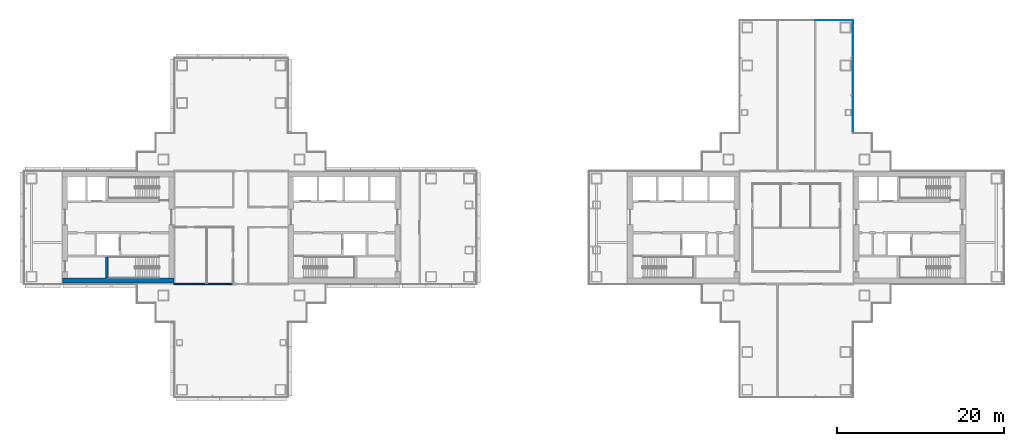
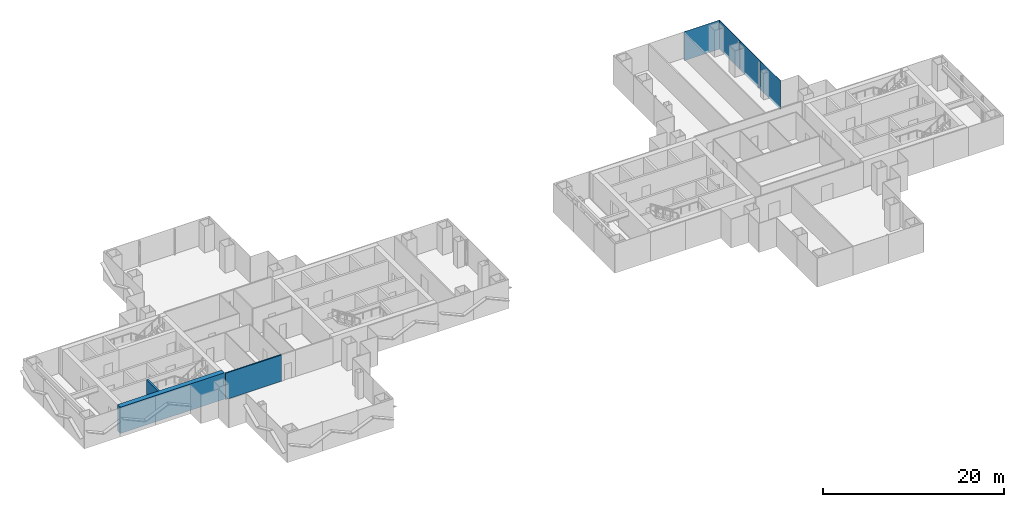
# One storey, part 11 of 18: 4 plates, 3 walls, 2 elements without a shape of their own.
"""IFC4 building model written with IfcOpenShell, lengths in metres."""

import ifcopenshell
import ifcopenshell.guid

model = None  # the IFC model being written
_history = None  # IfcOwnerHistory: only IFC2X3 demands one
_inside = {}  # id of a spatial element -> (the spatial element, [elements in it])
_under = {}  # id of a project, library or spatial element -> (it, [spatial elements below it])
_declared = {}  # id of a project -> (the project, [libraries it declares])
_typed = {}  # id of a type object -> (the type object, [elements of that type])
_made_of = {}  # id of a material, layer set ... -> (it, [elements and type objects made of it])


def new_model(schema):
    """Start an empty IFC model of exactly this schema.

    Asked for "IFC4X3", IfcOpenShell would pick the latest addendum, in which some entities
    have other attributes; the version numbers below select the first issue.
    IFC2X3 requires an IfcOwnerHistory on every rooted entity: one is made here for all.
    """
    global model, _history
    if schema == "IFC4X3":
        model = ifcopenshell.file(schema_version=(4, 3, 0, 0))
    else:
        model = ifcopenshell.file(schema=schema)
    _inside.clear()
    _under.clear()
    _declared.clear()
    _typed.clear()
    _made_of.clear()
    _history = None
    if model.schema == "IFC2X3":
        org = make("IfcOrganization", Name="unknown")
        user = make(
            "IfcPersonAndOrganization",
            ThePerson=make("IfcPerson", FamilyName="unknown"),
            TheOrganization=org,
        )
        app = make(
            "IfcApplication",
            ApplicationDeveloper=org,
            Version="unknown",
            ApplicationFullName="unknown",
            ApplicationIdentifier="unknown",
        )
        _history = make(
            "IfcOwnerHistory",
            OwningUser=user,
            OwningApplication=app,
            ChangeAction="ADDED",
            CreationDate=0,
        )
    return model


def make(cls, **values):
    """One entity of the class cls with the attributes given. An attribute that is None is left unset."""
    return model.create_entity(
        cls, **{name: value for name, value in values.items() if value is not None}
    )


def rooted(cls, **values):
    """An entity with a GlobalId (a new one), such as an element, a storey or a relation."""
    return make(cls, GlobalId=ifcopenshell.guid.new(), OwnerHistory=_history, **values)


def si_unit(unit_type, name, prefix=None):
    """IfcSIUnit, for example si_unit("LENGTHUNIT", "METRE", prefix="MILLI")."""
    return make("IfcSIUnit", UnitType=unit_type, Prefix=prefix, Name=name)


def assignment(units):
    """IfcUnitAssignment: the units of a project."""
    return None if units is None else make("IfcUnitAssignment", Units=units)


def point(xyz):
    """IfcCartesianPoint."""
    return None if xyz is None else make("IfcCartesianPoint", Coordinates=xyz)


def direction(xyz):
    """IfcDirection."""
    return None if xyz is None else make("IfcDirection", DirectionRatios=xyz)


def frame(location, z_axis=None, x_axis=None):
    """IfcAxis2Placement3D, a coordinate frame: its origin and axes. An axis left out is left unset."""
    return make(
        "IfcAxis2Placement3D",
        Location=point(location),
        Axis=direction(z_axis),
        RefDirection=direction(x_axis),
    )


def frame_2d(location, x_axis=None):
    """IfcAxis2Placement2D, a coordinate frame in the plane: its origin and x axis."""
    return make(
        "IfcAxis2Placement2D", Location=point(location), RefDirection=direction(x_axis)
    )


def origin():
    """The frame at (0, 0, 0) with its axes left unset."""
    return frame((0.0, 0.0, 0.0))


def origin_2d():
    """The frame at (0, 0) in the plane with its x axis left unset."""
    return frame_2d((0.0, 0.0))


def place(relative_to, where):
    """IfcLocalPlacement: puts the frame where relative to a parent placement (None: the world)."""
    return make(
        "IfcLocalPlacement", PlacementRelTo=relative_to, RelativePlacement=where
    )


def context(
    kind, dimensions, precision=None, world=None, true_north=None, identifier=None
):
    """IfcGeometricRepresentationContext, for example the 3D "Model" context."""
    return make(
        "IfcGeometricRepresentationContext",
        ContextIdentifier=identifier,
        ContextType=kind,
        CoordinateSpaceDimension=dimensions,
        Precision=precision,
        WorldCoordinateSystem=world,
        TrueNorth=true_north,
    )


def subcontext(parent, identifier, kind, view, scale=None):
    """IfcGeometricRepresentationSubContext, for example "Body" below "Model"."""
    return make(
        "IfcGeometricRepresentationSubContext",
        ContextIdentifier=identifier,
        ContextType=kind,
        ParentContext=parent,
        TargetScale=scale,
        TargetView=view,
    )


def project(units=None, contexts=None):
    """IfcProject with its units and contexts."""
    return rooted(
        "IfcProject",
        Name="project",
        RepresentationContexts=contexts,
        UnitsInContext=assignment(units),
    )


def spatial(cls, under=None, at=None, **own):
    """A site, building, storey or space (cls), placed at a placement, below another one or the project."""
    s = rooted(cls, ObjectPlacement=at, **own)
    if under is not None:
        _under.setdefault(under.id(), (under, []))[1].append(s)
    return s


def profile(cls, at=None, kind="AREA", **sizes):
    """A parametric profile (cls). Its sizes go by their IFC names, for example OverallWidth=200.0."""
    return make(cls, ProfileType=kind, Position=at, **sizes)


def rectangle(**sizes):
    """IfcRectangleProfileDef."""
    return profile("IfcRectangleProfileDef", **sizes)


def extrude(swept, where, along, depth):
    """IfcExtrudedAreaSolid: the profile swept, set in the frame where, extruded along a direction by depth."""
    return make(
        "IfcExtrudedAreaSolid",
        SweptArea=swept,
        Position=where,
        ExtrudedDirection=direction(along),
        Depth=depth,
    )


def shape(context_of_items, identifier, shape_type, items):
    """IfcShapeRepresentation: the items that make up one representation, for example the "Body"."""
    return make(
        "IfcShapeRepresentation",
        ContextOfItems=context_of_items,
        RepresentationIdentifier=identifier,
        RepresentationType=shape_type,
        Items=items,
    )


def material(Name=None, Category=None):
    """IfcMaterial."""
    return make("IfcMaterial", Name=Name, Category=Category)


def layer(
    of_material, thickness, ventilated=None, Name=None, Category=None, Priority=None
):
    """IfcMaterialLayer: one layer of a wall or slab, of a material (None: an air gap)."""
    return make(
        "IfcMaterialLayer",
        Material=of_material,
        LayerThickness=thickness,
        IsVentilated=ventilated,
        Name=Name,
        Category=Category,
        Priority=Priority,
    )


def layer_set(layers, Name=None):
    """IfcMaterialLayerSet."""
    return make("IfcMaterialLayerSet", MaterialLayers=layers, LayerSetName=Name)


def made_of(thing, what):
    """Note that an element or type object is made of a material, layer set ...; save() writes the relation."""
    if what is not None:
        _made_of.setdefault(what.id(), (what, []))[1].append(thing)
    return thing


def type_object(cls, material=None, **own):
    """A type object (cls), such as IfcWallType, which elements share."""
    return made_of(rooted(cls, **own), material)


def element(
    cls,
    number,
    at=None,
    inside=None,
    cuts=None,
    type_object=None,
    material=None,
    context=None,
    identifier="Body",
    shape_type=None,
    held_by="IfcProductDefinitionShape",
    body=None,
    shapes=None,
    **own,
):
    """One element of the class cls, such as IfcWall. Its Tag is "e" and its number.

    at: its placement. inside: the storey or other place that contains it. cuts: it is an
    opening in that element (IfcRelVoidsElement). A single representation is given by context,
    identifier, shape_type and body (its items); several are given by shapes. held_by: the class
    of the entity that holds the representations. save() writes the other relations.
    """
    e = rooted(cls, Tag="e%d" % number, ObjectPlacement=at, **own)
    if body is not None:
        shapes = [shape(context, identifier, shape_type, body)]
    if shapes is not None:
        e.Representation = make(held_by, Representations=shapes)
    if inside is not None:
        _inside.setdefault(inside.id(), (inside, []))[1].append(e)
    if cuts is not None:
        rooted(
            "IfcRelVoidsElement", RelatingBuildingElement=cuts, RelatedOpeningElement=e
        )
    if type_object is not None:
        _typed.setdefault(type_object.id(), (type_object, []))[1].append(e)
    return made_of(e, material)


def aggregate(whole, parts):
    """IfcRelAggregates: a whole, such as a stair, and the parts it consists of."""
    return rooted("IfcRelAggregates", RelatingObject=whole, RelatedObjects=parts)


def save(model, path):
    """Write the relations noted so far, then the file.

    IfcRelAggregates (storeys below a building ...), IfcRelContainedInSpatialStructure (elements
    in a storey), IfcRelDefinesByType, IfcRelAssociatesMaterial and IfcRelDeclares: one each for
    every whole, place, type object, material and project.
    """
    for whole, parts in _under.values():
        aggregate(whole, parts)
    for where, things in _inside.values():
        rooted(
            "IfcRelContainedInSpatialStructure",
            RelatedElements=things,
            RelatingStructure=where,
        )
    for kind, things in _typed.values():
        rooted("IfcRelDefinesByType", RelatedObjects=things, RelatingType=kind)
    for what, things in _made_of.values():
        rooted("IfcRelAssociatesMaterial", RelatedObjects=things, RelatingMaterial=what)
    for by, libraries in _declared.values():
        rooted("IfcRelDeclares", RelatingContext=by, RelatedDefinitions=libraries)
    model.write(path)


model = new_model("IFC4")

# Units and contexts
model_context = context("Model", 3, precision=1e-05, world=origin(), true_north=direction((0.0, 1.0)))
body_context = subcontext(model_context, "Body", "Model", "MODEL_VIEW")
ifc_project = project(units=[si_unit("LENGTHUNIT", "METRE"), si_unit("AREAUNIT", "SQUARE_METRE"), si_unit("VOLUMEUNIT", "CUBIC_METRE"), si_unit("PLANEANGLEUNIT", "RADIAN"), si_unit("MASSUNIT", "GRAM", prefix="KILO")], contexts=[model_context])

# Site, building, storey
site_placement = place(None, origin())
site = spatial("IfcSite", under=ifc_project, at=site_placement, CompositionType="ELEMENT")
building_placement = place(site_placement, origin())
building = spatial("IfcBuilding", under=site, at=building_placement, Name="Shamsa Quay Exchange Towers", CompositionType="ELEMENT")
storey_placement = place(building_placement, frame((0.0, 0.0, 113.10009765625)))
storey = spatial("IfcBuildingStorey", under=building, at=storey_placement, Name="L26", CompositionType="ELEMENT", Elevation=113.10009765625)

# Curtain wall, plates
ifc_material_1 = material(Name="Aluminium EN AW-6063 T6, black anodised", Category="aluminium")
ifc_layer_1 = layer(ifc_material_1, 0.280029296875)
ifc_layer_set_1 = layer_set([ifc_layer_1], Name="CW-1 UNITISED VISION GLASS")
curtain_wall_type = type_object("IfcCurtainWallType", Name="CW-1 UNITISED VISION GLASS", PredefinedType="NOTDEFINED", material=ifc_layer_set_1)
curtain_wall_1_placement = place(storey_placement, origin())
curtain_wall_1 = element("IfcCurtainWall", 1, at=curtain_wall_1_placement, inside=storey, type_object=curtain_wall_type, Name="CW1 T2-FLK-U+S L26", PredefinedType="NOTDEFINED")
ifc_material_2 = material(Name="Glass, laminated, dark tinted", Category="glass")
ifc_layer_2 = layer(ifc_material_2, 0.0400390625)
ifc_layer_set_2 = layer_set([ifc_layer_2], Name="CW-1 VISION GLASS 40")
plate_type = type_object("IfcPlateType", Name="CW-1 VISION GLASS 40", PredefinedType="CURTAIN_PANEL", material=ifc_layer_set_2)
plate_1_placement = place(storey_placement, frame((40.52001953125, 13.529052734375, -0.35009765625), z_axis=(0.0, 0.0, 1.0), x_axis=(0.0, 1.0, 0.0)))
plate_1 = element("IfcPlate", 2, at=plate_1_placement, type_object=plate_type, Name="CW1 glass panel", PredefinedType="CURTAIN_PANEL", context=body_context, shape_type="SweptSolid", body=[
    extrude(rectangle(XDim=4.482421875, YDim=0.0400390625, at=origin_2d()), origin(), (0.0, 0.0, 1.0), 3.89990234375),
])
plate_2_placement = place(storey_placement, frame((40.52001953125, 18.01904296875, -0.35009765625), z_axis=(0.0, 0.0, 1.0), x_axis=(0.0, 1.0, 0.0)))
plate_2 = element("IfcPlate", 3, at=plate_2_placement, type_object=plate_type, Name="CW1 glass panel", PredefinedType="CURTAIN_PANEL", context=body_context, shape_type="SweptSolid", body=[
    extrude(rectangle(XDim=4.477294921875, YDim=0.0400390625, at=origin_2d()), origin(), (0.0, 0.0, 1.0), 3.89990234375),
])
plate_3_placement = place(storey_placement, frame((40.52001953125, 22.5087890625, -0.35009765625), z_axis=(0.0, 0.0, 1.0), x_axis=(0.0, 1.0, 0.0)))
plate_3 = element("IfcPlate", 4, at=plate_3_placement, type_object=plate_type, Name="CW1 glass panel", PredefinedType="CURTAIN_PANEL", context=body_context, shape_type="SweptSolid", body=[
    extrude(rectangle(XDim=4.482421875, YDim=0.0400390625, at=origin_2d()), origin(), (0.0, 0.0, 1.0), 3.89990234375),
])
aggregate(curtain_wall_1, [plate_1, plate_2, plate_3])

# Curtain wall, plate
curtain_wall_2_placement = place(storey_placement, origin())
curtain_wall_2 = element("IfcCurtainWall", 5, at=curtain_wall_2_placement, inside=storey, type_object=curtain_wall_type, Name="CW1 T2-END-U+ L26", PredefinedType="NOTDEFINED")
plate_4_placement = place(storey_placement, frame((38.25244140625, 24.77001953125, -0.35009765625), z_axis=(0.0, 0.0, 1.0), x_axis=(-1.0, 0.0, 0.0)))
plate_4 = element("IfcPlate", 6, at=plate_4_placement, type_object=plate_type, Name="CW1 glass panel", PredefinedType="CURTAIN_PANEL", context=body_context, shape_type="SweptSolid", body=[
    extrude(rectangle(XDim=4.4951171875, YDim=0.0400390625, at=origin_2d()), origin(), (0.0, 0.0, 1.0), 3.89990234375),
])
aggregate(curtain_wall_2, [plate_4])

# Walls
ifc_material_3 = material(Name="Concrete C70/85", Category="concrete")
ifc_layer_3 = layer(ifc_material_3, 0.60009765625)
ifc_layer_set_3 = layer_set([ifc_layer_3], Name="CORE WALL 600 C70/85")
wall_type_1 = type_object("IfcWallType", Name="CORE WALL 600 C70/85", PredefinedType="SHEAR", material=ifc_layer_set_3)
wall_1_placement = place(storey_placement, frame((-40.60009765625, -6.35009765625, 0.0), z_axis=(0.0, 0.0, 1.0), x_axis=(-1.0, 0.0, 0.0)))
element("IfcWall", 7, at=wall_1_placement, inside=storey, type_object=wall_type_1, Name="Core wall T1B-R12-PS", PredefinedType="SHEAR", context=body_context, shape_type="SweptSolid", body=[
    extrude(rectangle(XDim=13.2998046875, YDim=0.60009765625, at=frame_2d((6.64990234375, 0.0))), origin(), (0.0, 0.0, 1.0), 3.5498046875),
])
ifc_material_4 = material(Name="Gypsum board partition on metal studs")
ifc_layer_4 = layer(ifc_material_4, 0.14990234375)
ifc_layer_set_4 = layer_set([ifc_layer_4], Name="Partition 150 mm EI 60")
wall_type_2 = type_object("IfcWallType", Name="Partition 150 mm EI 60", PredefinedType="PARTITIONING", material=ifc_layer_set_4)
wall_2_placement = place(storey_placement, frame((-40.60009765625, -6.75, 0.0)))
element("IfcWall", 8, at=wall_2_placement, inside=storey, type_object=wall_type_2, Name="Partition T1-R12-W14", PredefinedType="PARTITIONING", context=body_context, shape_type="SweptSolid", body=[
    extrude(rectangle(XDim=7.124755859375, YDim=0.14990234375, at=frame_2d((3.5625, 0.0))), origin(), (0.0, 0.0, 1.0), 3.5498046875),
])
ifc_material_5 = material(Name="Concrete C50/60", Category="concrete")
ifc_layer_5 = layer(ifc_material_5, 0.25)
ifc_layer_set_5 = layer_set([ifc_layer_5], Name="SHAFT WALL 250 C50/60")
wall_type_3 = type_object("IfcWallType", Name="SHAFT WALL 250 C50/60", PredefinedType="SHEAR", material=ifc_layer_set_5)
wall_3_placement = place(storey_placement, frame((-48.625, -6.050048828125, 0.0), z_axis=(0.0, 0.0, 1.0), x_axis=(0.0, 1.0, 0.0)))
element("IfcWall", 9, at=wall_3_placement, inside=storey, type_object=wall_type_3, Name="Shaft wall T1B-R12-STF", PredefinedType="SHEAR", context=body_context, shape_type="SweptSolid", body=[
    extrude(rectangle(XDim=2.550048828125, YDim=0.25, at=frame_2d((1.27490234375, 0.0))), origin(), (0.0, 0.0, 1.0), 3.5498046875),
])

save(model, "model.ifc")
